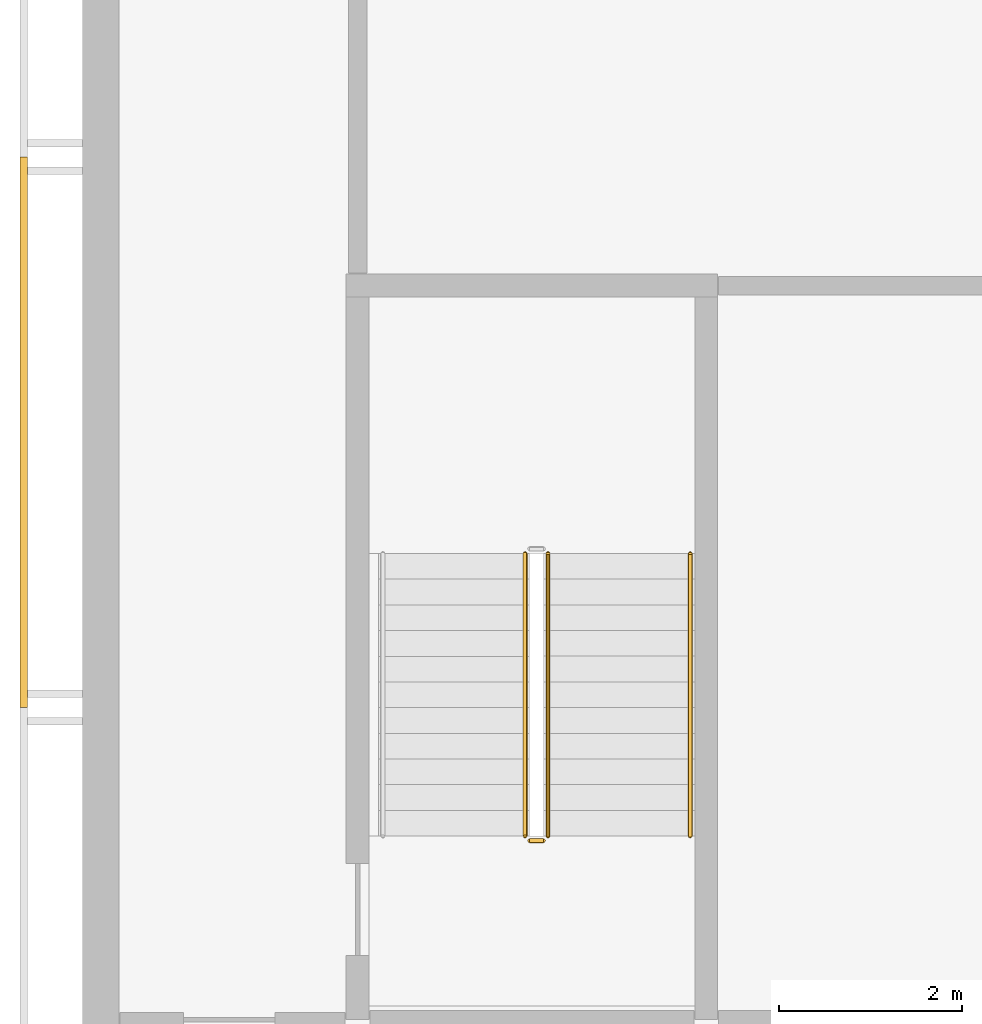
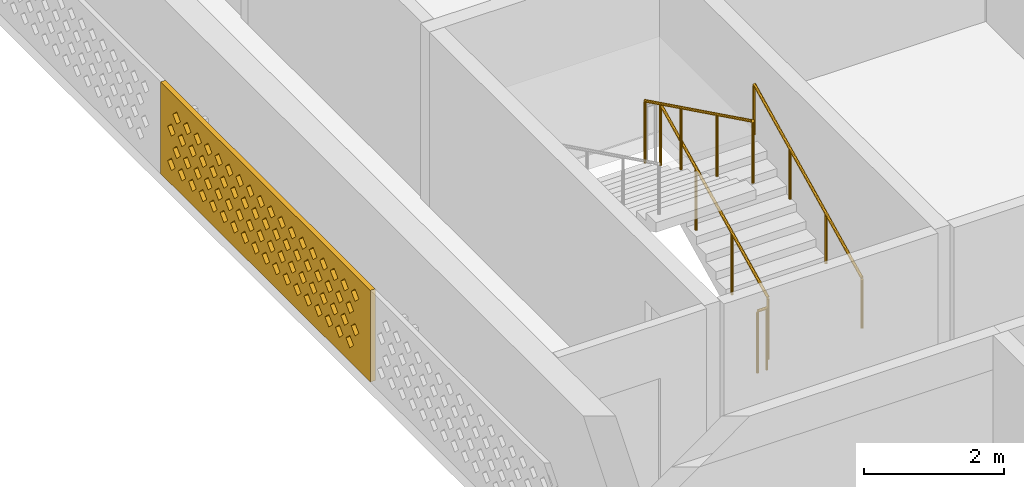
# One storey, part 8 of 18: 4 railings, 1 covering.
"""IFC4 building model written with IfcOpenShell, lengths in metres."""

from ifc_helpers import new_model, si_unit, direction, frame, origin, origin_2d, place, context, subcontext, project, spatial, polyline, circle, outline, extrude, source, transform, mapped, material, material_profile, profile_set, type_object, element, save


model = new_model("IFC4")

# Units and contexts
model_context = context("Model", 3, precision=1e-05, world=origin(), true_north=direction((0.0, 1.0)))
body_context = subcontext(model_context, "Body", "Model", "MODEL_VIEW")
ifc_project = project(units=[si_unit("LENGTHUNIT", "METRE"), si_unit("AREAUNIT", "SQUARE_METRE"), si_unit("VOLUMEUNIT", "CUBIC_METRE"), si_unit("PLANEANGLEUNIT", "RADIAN"), si_unit("MASSUNIT", "GRAM", prefix="KILO")], contexts=[model_context])

# Site, building, storey
site_placement = place(None, origin())
site = spatial("IfcSite", under=ifc_project, at=site_placement, CompositionType="ELEMENT")
building_placement = place(site_placement, origin())
building = spatial("IfcBuilding", under=site, at=building_placement, Name="Poui Terraces", CompositionType="ELEMENT")
storey_placement = place(building_placement, frame((0.0, 0.0, 275.699951171875)))
storey = spatial("IfcBuildingStorey", under=building, at=storey_placement, Name="L76 CROWN", CompositionType="ELEMENT", Elevation=275.699951171875)

# Railings
ifc_material_1 = material(Name="Galvanised steel balustrade", Category="steel")
railing_type_1 = type_object("IfcRailingType", Name="STAIR GUARD 1100", PredefinedType="GUARDRAIL", material=ifc_material_1)
railing_1_placement = place(storey_placement, frame((22.875, 16.60009765625, 0.137451171875)))
element("IfcRailing", 1, at=railing_1_placement, inside=storey, type_object=railing_type_1, Name="L76 CROWN ST-W stair guard 1", PredefinedType="GUARDRAIL", context=body_context, shape_type="SweptSolid", body=[
    extrude(circle(Radius=0.02392578125, at=origin_2d()), frame((0.0, 0.0, 1.076171875), z_axis=(0.0, 0.897578036475, 0.440855609512), x_axis=(-1.0, 0.0, 0.0)), (0.0, 0.0, 1.0), 3.43115234375),
    extrude(circle(Radius=0.02099609375, at=origin_2d()), origin(), (0.0, 0.0, 1.0), 1.052001953125),
    extrude(circle(Radius=0.02099609375, at=origin_2d()), frame((0.0, 1.026611328125, 0.504150390625)), (0.0, 0.0, 1.0), 1.052001953125),
    extrude(circle(Radius=0.02099609375, at=origin_2d()), frame((0.0, 2.05322265625, 1.008544921875)), (0.0, 0.0, 1.0), 1.052001953125),
    extrude(circle(Radius=0.02099609375, at=origin_2d()), frame((0.0, 3.079833984375, 1.5126953125)), (0.0, 0.0, 1.0), 1.052001953125),
])
railing_2_placement = place(storey_placement, frame((22.625, 19.679931640625, 1.78759765625)))
element("IfcRailing", 2, at=railing_2_placement, inside=storey, type_object=railing_type_1, Name="L76 CROWN ST-W stair guard 3", PredefinedType="GUARDRAIL", context=body_context, shape_type="SweptSolid", body=[
    extrude(circle(Radius=0.02392578125, at=origin_2d()), frame((0.0, 0.0, 1.076171875), z_axis=(0.0, -0.897606190399, 0.440798283751), x_axis=(1.0, 0.0, 0.0)), (0.0, 0.0, 1.0), 3.43115234375),
    extrude(circle(Radius=0.02099609375, at=origin_2d()), origin(), (0.0, 0.0, 1.0), 1.052001953125),
    extrude(circle(Radius=0.02099609375, at=origin_2d()), frame((0.0, -1.026611328125, 0.504150390625)), (0.0, 0.0, 1.0), 1.052001953125),
    extrude(circle(Radius=0.02099609375, at=origin_2d()), frame((0.0, -2.05322265625, 1.00830078125)), (0.0, 0.0, 1.0), 1.052001953125),
    extrude(circle(Radius=0.02099609375, at=origin_2d()), frame((0.0, -3.079833984375, 1.512451171875)), (0.0, 0.0, 1.0), 1.052001953125),
])
railing_3_placement = place(storey_placement, frame((22.824951171875, 16.550048828125, 0.0)))
element("IfcRailing", 3, at=railing_3_placement, inside=storey, type_object=railing_type_1, Name="L76 CROWN ST-W stair guard 4", PredefinedType="GUARDRAIL", context=body_context, shape_type="SweptSolid", body=[
    extrude(circle(Radius=0.02392578125, at=origin_2d()), frame((0.0, 0.0, 1.076171875), z_axis=(-1.0, 0.0, 0.0), x_axis=(0.0, -1.0, 0.0)), (0.0, 0.0, 1.0), 0.14990234375),
    extrude(circle(Radius=0.02099609375, at=origin_2d()), origin(), (0.0, 0.0, 1.0), 1.052001953125),
    extrude(circle(Radius=0.02099609375, at=origin_2d()), frame((-0.14990234375, 0.0, 0.0)), (0.0, 0.0, 1.0), 1.052001953125),
])
ifc_material_2 = material(Name="Stainless steel handrail", Category="steel")
railing_type_2 = type_object("IfcRailingType", Name="STAIR HANDRAIL 900", PredefinedType="HANDRAIL", material=ifc_material_2)
railing_4_placement = place(storey_placement, frame((24.425048828125, 16.60009765625, 0.137451171875)))
element("IfcRailing", 4, at=railing_4_placement, inside=storey, type_object=railing_type_2, Name="L76 CROWN ST-W stair handrail 1", PredefinedType="HANDRAIL", context=body_context, shape_type="SweptSolid", body=[
    extrude(circle(Radius=0.02392578125, at=origin_2d()), frame((0.0, 0.0, 0.8759765625), z_axis=(0.0, 0.897578036475, 0.440855609512), x_axis=(-1.0, 0.0, 0.0)), (0.0, 0.0, 1.0), 3.43115234375),
    extrude(circle(Radius=0.02099609375, at=origin_2d()), origin(), (0.0, 0.0, 1.0), 0.851806640625),
    extrude(circle(Radius=0.02099609375, at=origin_2d()), frame((0.0, 1.026611328125, 0.504150390625)), (0.0, 0.0, 1.0), 0.851806640625),
    extrude(circle(Radius=0.02099609375, at=origin_2d()), frame((0.0, 2.05322265625, 1.008544921875)), (0.0, 0.0, 1.0), 0.851806640625),
    extrude(circle(Radius=0.02099609375, at=origin_2d()), frame((0.0, 3.079833984375, 1.5126953125)), (0.0, 0.0, 1.0), 0.851806640625),
])

# Covering
ifc_material_3 = material(Name="Terracotta screen", Category="masonry")
ifc_material_profile = material_profile(ifc_material_3, outline(polyline([(-3.0, -0.800048828125), (3.0, -0.800048828125), (3.0, 0.800048828125), (-3.0, 0.800048828125), (-3.0, -0.800048828125)]), holes=[polyline([(-2.800048828125, -0.449951171875), (-2.68994140625, -0.56005859375), (-2.580078125, -0.449951171875), (-2.68994140625, -0.340087890625), (-2.800048828125, -0.449951171875)]), polyline([(-2.5, -0.449951171875), (-2.389892578125, -0.56005859375), (-2.280029296875, -0.449951171875), (-2.389892578125, -0.340087890625), (-2.5, -0.449951171875)]), polyline([(-2.199951171875, -0.449951171875), (-2.090087890625, -0.56005859375), (-1.97998046875, -0.449951171875), (-2.090087890625, -0.340087890625), (-2.199951171875, -0.449951171875)]), polyline([(-1.89990234375, -0.449951171875), (-1.7900390625, -0.56005859375), (-1.679931640625, -0.449951171875), (-1.7900390625, -0.340087890625), (-1.89990234375, -0.449951171875)]), polyline([(-1.60009765625, -0.449951171875), (-1.489990234375, -0.56005859375), (-1.3798828125, -0.449951171875), (-1.489990234375, -0.340087890625), (-1.60009765625, -0.449951171875)]), polyline([(-1.300048828125, -0.449951171875), (-1.18994140625, -0.56005859375), (-1.080078125, -0.449951171875), (-1.18994140625, -0.340087890625), (-1.300048828125, -0.449951171875)]), polyline([(-1.0, -0.449951171875), (-0.889892578125, -0.56005859375), (-0.780029296875, -0.449951171875), (-0.889892578125, -0.340087890625), (-1.0, -0.449951171875)]), polyline([(-0.699951171875, -0.449951171875), (-0.590087890625, -0.56005859375), (-0.47998046875, -0.449951171875), (-0.590087890625, -0.340087890625), (-0.699951171875, -0.449951171875)]), polyline([(-0.39990234375, -0.449951171875), (-0.2900390625, -0.56005859375), (-0.179931640625, -0.449951171875), (-0.2900390625, -0.340087890625), (-0.39990234375, -0.449951171875)]), polyline([(-0.10009765625, -0.449951171875), (0.010009765625, -0.56005859375), (0.1201171875, -0.449951171875), (0.010009765625, -0.340087890625), (-0.10009765625, -0.449951171875)]), polyline([(0.199951171875, -0.449951171875), (0.31005859375, -0.56005859375), (0.419921875, -0.449951171875), (0.31005859375, -0.340087890625), (0.199951171875, -0.449951171875)]), polyline([(0.5, -0.449951171875), (0.610107421875, -0.56005859375), (0.719970703125, -0.449951171875), (0.610107421875, -0.340087890625), (0.5, -0.449951171875)]), polyline([(0.800048828125, -0.449951171875), (0.909912109375, -0.56005859375), (1.02001953125, -0.449951171875), (0.909912109375, -0.340087890625), (0.800048828125, -0.449951171875)]), polyline([(1.10009765625, -0.449951171875), (1.2099609375, -0.56005859375), (1.320068359375, -0.449951171875), (1.2099609375, -0.340087890625), (1.10009765625, -0.449951171875)]), polyline([(1.39990234375, -0.449951171875), (1.510009765625, -0.56005859375), (1.6201171875, -0.449951171875), (1.510009765625, -0.340087890625), (1.39990234375, -0.449951171875)]), polyline([(1.699951171875, -0.449951171875), (1.81005859375, -0.56005859375), (1.919921875, -0.449951171875), (1.81005859375, -0.340087890625), (1.699951171875, -0.449951171875)]), polyline([(2.0, -0.449951171875), (2.110107421875, -0.56005859375), (2.219970703125, -0.449951171875), (2.110107421875, -0.340087890625), (2.0, -0.449951171875)]), polyline([(2.300048828125, -0.449951171875), (2.409912109375, -0.56005859375), (2.52001953125, -0.449951171875), (2.409912109375, -0.340087890625), (2.300048828125, -0.449951171875)]), polyline([(-2.64990234375, -0.14990234375), (-2.5400390625, -0.260009765625), (-2.429931640625, -0.14990234375), (-2.5400390625, -0.0400390625), (-2.64990234375, -0.14990234375)]), polyline([(-2.35009765625, -0.14990234375), (-2.239990234375, -0.260009765625), (-2.1298828125, -0.14990234375), (-2.239990234375, -0.0400390625), (-2.35009765625, -0.14990234375)]), polyline([(-2.050048828125, -0.14990234375), (-1.93994140625, -0.260009765625), (-1.830078125, -0.14990234375), (-1.93994140625, -0.0400390625), (-2.050048828125, -0.14990234375)]), polyline([(-1.75, -0.14990234375), (-1.639892578125, -0.260009765625), (-1.530029296875, -0.14990234375), (-1.639892578125, -0.0400390625), (-1.75, -0.14990234375)]), polyline([(-1.449951171875, -0.14990234375), (-1.340087890625, -0.260009765625), (-1.22998046875, -0.14990234375), (-1.340087890625, -0.0400390625), (-1.449951171875, -0.14990234375)]), polyline([(-1.14990234375, -0.14990234375), (-1.0400390625, -0.260009765625), (-0.929931640625, -0.14990234375), (-1.0400390625, -0.0400390625), (-1.14990234375, -0.14990234375)]), polyline([(-0.85009765625, -0.14990234375), (-0.739990234375, -0.260009765625), (-0.6298828125, -0.14990234375), (-0.739990234375, -0.0400390625), (-0.85009765625, -0.14990234375)]), polyline([(-0.550048828125, -0.14990234375), (-0.43994140625, -0.260009765625), (-0.330078125, -0.14990234375), (-0.43994140625, -0.0400390625), (-0.550048828125, -0.14990234375)]), polyline([(-0.25, -0.14990234375), (-0.139892578125, -0.260009765625), (-0.030029296875, -0.14990234375), (-0.139892578125, -0.0400390625), (-0.25, -0.14990234375)]), polyline([(0.050048828125, -0.14990234375), (0.159912109375, -0.260009765625), (0.27001953125, -0.14990234375), (0.159912109375, -0.0400390625), (0.050048828125, -0.14990234375)]), polyline([(0.35009765625, -0.14990234375), (0.4599609375, -0.260009765625), (0.570068359375, -0.14990234375), (0.4599609375, -0.0400390625), (0.35009765625, -0.14990234375)]), polyline([(0.64990234375, -0.14990234375), (0.760009765625, -0.260009765625), (0.8701171875, -0.14990234375), (0.760009765625, -0.0400390625), (0.64990234375, -0.14990234375)]), polyline([(0.949951171875, -0.14990234375), (1.06005859375, -0.260009765625), (1.169921875, -0.14990234375), (1.06005859375, -0.0400390625), (0.949951171875, -0.14990234375)]), polyline([(1.25, -0.14990234375), (1.360107421875, -0.260009765625), (1.469970703125, -0.14990234375), (1.360107421875, -0.0400390625), (1.25, -0.14990234375)]), polyline([(1.550048828125, -0.14990234375), (1.659912109375, -0.260009765625), (1.77001953125, -0.14990234375), (1.659912109375, -0.0400390625), (1.550048828125, -0.14990234375)]), polyline([(1.85009765625, -0.14990234375), (1.9599609375, -0.260009765625), (2.070068359375, -0.14990234375), (1.9599609375, -0.0400390625), (1.85009765625, -0.14990234375)]), polyline([(2.14990234375, -0.14990234375), (2.260009765625, -0.260009765625), (2.3701171875, -0.14990234375), (2.260009765625, -0.0400390625), (2.14990234375, -0.14990234375)]), polyline([(2.449951171875, -0.14990234375), (2.56005859375, -0.260009765625), (2.669921875, -0.14990234375), (2.56005859375, -0.0400390625), (2.449951171875, -0.14990234375)]), polyline([(-2.800048828125, 0.14990234375), (-2.68994140625, 0.0400390625), (-2.580078125, 0.14990234375), (-2.68994140625, 0.260009765625), (-2.800048828125, 0.14990234375)]), polyline([(-2.5, 0.14990234375), (-2.389892578125, 0.0400390625), (-2.280029296875, 0.14990234375), (-2.389892578125, 0.260009765625), (-2.5, 0.14990234375)]), polyline([(-2.199951171875, 0.14990234375), (-2.090087890625, 0.0400390625), (-1.97998046875, 0.14990234375), (-2.090087890625, 0.260009765625), (-2.199951171875, 0.14990234375)]), polyline([(-1.89990234375, 0.14990234375), (-1.7900390625, 0.0400390625), (-1.679931640625, 0.14990234375), (-1.7900390625, 0.260009765625), (-1.89990234375, 0.14990234375)]), polyline([(-1.60009765625, 0.14990234375), (-1.489990234375, 0.0400390625), (-1.3798828125, 0.14990234375), (-1.489990234375, 0.260009765625), (-1.60009765625, 0.14990234375)]), polyline([(-1.300048828125, 0.14990234375), (-1.18994140625, 0.0400390625), (-1.080078125, 0.14990234375), (-1.18994140625, 0.260009765625), (-1.300048828125, 0.14990234375)]), polyline([(-1.0, 0.14990234375), (-0.889892578125, 0.0400390625), (-0.780029296875, 0.14990234375), (-0.889892578125, 0.260009765625), (-1.0, 0.14990234375)]), polyline([(-0.699951171875, 0.14990234375), (-0.590087890625, 0.0400390625), (-0.47998046875, 0.14990234375), (-0.590087890625, 0.260009765625), (-0.699951171875, 0.14990234375)]), polyline([(-0.39990234375, 0.14990234375), (-0.2900390625, 0.0400390625), (-0.179931640625, 0.14990234375), (-0.2900390625, 0.260009765625), (-0.39990234375, 0.14990234375)]), polyline([(-0.10009765625, 0.14990234375), (0.010009765625, 0.0400390625), (0.1201171875, 0.14990234375), (0.010009765625, 0.260009765625), (-0.10009765625, 0.14990234375)]), polyline([(0.199951171875, 0.14990234375), (0.31005859375, 0.0400390625), (0.419921875, 0.14990234375), (0.31005859375, 0.260009765625), (0.199951171875, 0.14990234375)]), polyline([(0.5, 0.14990234375), (0.610107421875, 0.0400390625), (0.719970703125, 0.14990234375), (0.610107421875, 0.260009765625), (0.5, 0.14990234375)]), polyline([(0.800048828125, 0.14990234375), (0.909912109375, 0.0400390625), (1.02001953125, 0.14990234375), (0.909912109375, 0.260009765625), (0.800048828125, 0.14990234375)]), polyline([(1.10009765625, 0.14990234375), (1.2099609375, 0.0400390625), (1.320068359375, 0.14990234375), (1.2099609375, 0.260009765625), (1.10009765625, 0.14990234375)]), polyline([(1.39990234375, 0.14990234375), (1.510009765625, 0.0400390625), (1.6201171875, 0.14990234375), (1.510009765625, 0.260009765625), (1.39990234375, 0.14990234375)]), polyline([(1.699951171875, 0.14990234375), (1.81005859375, 0.0400390625), (1.919921875, 0.14990234375), (1.81005859375, 0.260009765625), (1.699951171875, 0.14990234375)]), polyline([(2.0, 0.14990234375), (2.110107421875, 0.0400390625), (2.219970703125, 0.14990234375), (2.110107421875, 0.260009765625), (2.0, 0.14990234375)]), polyline([(2.300048828125, 0.14990234375), (2.409912109375, 0.0400390625), (2.52001953125, 0.14990234375), (2.409912109375, 0.260009765625), (2.300048828125, 0.14990234375)]), polyline([(-2.64990234375, 0.449951171875), (-2.5400390625, 0.340087890625), (-2.429931640625, 0.449951171875), (-2.5400390625, 0.56005859375), (-2.64990234375, 0.449951171875)]), polyline([(-2.35009765625, 0.449951171875), (-2.239990234375, 0.340087890625), (-2.1298828125, 0.449951171875), (-2.239990234375, 0.56005859375), (-2.35009765625, 0.449951171875)]), polyline([(-2.050048828125, 0.449951171875), (-1.93994140625, 0.340087890625), (-1.830078125, 0.449951171875), (-1.93994140625, 0.56005859375), (-2.050048828125, 0.449951171875)]), polyline([(-1.75, 0.449951171875), (-1.639892578125, 0.340087890625), (-1.530029296875, 0.449951171875), (-1.639892578125, 0.56005859375), (-1.75, 0.449951171875)]), polyline([(-1.449951171875, 0.449951171875), (-1.340087890625, 0.340087890625), (-1.22998046875, 0.449951171875), (-1.340087890625, 0.56005859375), (-1.449951171875, 0.449951171875)]), polyline([(-1.14990234375, 0.449951171875), (-1.0400390625, 0.340087890625), (-0.929931640625, 0.449951171875), (-1.0400390625, 0.56005859375), (-1.14990234375, 0.449951171875)]), polyline([(-0.85009765625, 0.449951171875), (-0.739990234375, 0.340087890625), (-0.6298828125, 0.449951171875), (-0.739990234375, 0.56005859375), (-0.85009765625, 0.449951171875)]), polyline([(-0.550048828125, 0.449951171875), (-0.43994140625, 0.340087890625), (-0.330078125, 0.449951171875), (-0.43994140625, 0.56005859375), (-0.550048828125, 0.449951171875)]), polyline([(-0.25, 0.449951171875), (-0.139892578125, 0.340087890625), (-0.030029296875, 0.449951171875), (-0.139892578125, 0.56005859375), (-0.25, 0.449951171875)]), polyline([(0.050048828125, 0.449951171875), (0.159912109375, 0.340087890625), (0.27001953125, 0.449951171875), (0.159912109375, 0.56005859375), (0.050048828125, 0.449951171875)]), polyline([(0.35009765625, 0.449951171875), (0.4599609375, 0.340087890625), (0.570068359375, 0.449951171875), (0.4599609375, 0.56005859375), (0.35009765625, 0.449951171875)]), polyline([(0.64990234375, 0.449951171875), (0.760009765625, 0.340087890625), (0.8701171875, 0.449951171875), (0.760009765625, 0.56005859375), (0.64990234375, 0.449951171875)]), polyline([(0.949951171875, 0.449951171875), (1.06005859375, 0.340087890625), (1.169921875, 0.449951171875), (1.06005859375, 0.56005859375), (0.949951171875, 0.449951171875)]), polyline([(1.25, 0.449951171875), (1.360107421875, 0.340087890625), (1.469970703125, 0.449951171875), (1.360107421875, 0.56005859375), (1.25, 0.449951171875)]), polyline([(1.550048828125, 0.449951171875), (1.659912109375, 0.340087890625), (1.77001953125, 0.449951171875), (1.659912109375, 0.56005859375), (1.550048828125, 0.449951171875)]), polyline([(1.85009765625, 0.449951171875), (1.9599609375, 0.340087890625), (2.070068359375, 0.449951171875), (1.9599609375, 0.56005859375), (1.85009765625, 0.449951171875)]), polyline([(2.14990234375, 0.449951171875), (2.260009765625, 0.340087890625), (2.3701171875, 0.449951171875), (2.260009765625, 0.56005859375), (2.14990234375, 0.449951171875)]), polyline([(2.449951171875, 0.449951171875), (2.56005859375, 0.340087890625), (2.669921875, 0.449951171875), (2.56005859375, 0.56005859375), (2.449951171875, 0.449951171875)])]), Name="TERRACOTTA SOLAR SCREEN 6000X1600")
ifc_profile_set = profile_set([ifc_material_profile], Name="Terracotta screen")
covering_type = type_object("IfcCoveringType", Name="TERRACOTTA SOLAR SCREEN 6000X1600", PredefinedType="CLADDING", material=ifc_profile_set)
shared_shape = source(origin(), body_context, "Body", "SweptSolid", [
    extrude(outline(polyline([(-3.0, -0.800048828125), (3.0, -0.800048828125), (3.0, 0.800048828125), (-3.0, 0.800048828125), (-3.0, -0.800048828125)]), holes=[polyline([(-2.800048828125, -0.449951171875), (-2.68994140625, -0.56005859375), (-2.580078125, -0.449951171875), (-2.68994140625, -0.340087890625), (-2.800048828125, -0.449951171875)]), polyline([(-2.5, -0.449951171875), (-2.389892578125, -0.56005859375), (-2.280029296875, -0.449951171875), (-2.389892578125, -0.340087890625), (-2.5, -0.449951171875)]), polyline([(-2.199951171875, -0.449951171875), (-2.090087890625, -0.56005859375), (-1.97998046875, -0.449951171875), (-2.090087890625, -0.340087890625), (-2.199951171875, -0.449951171875)]), polyline([(-1.89990234375, -0.449951171875), (-1.7900390625, -0.56005859375), (-1.679931640625, -0.449951171875), (-1.7900390625, -0.340087890625), (-1.89990234375, -0.449951171875)]), polyline([(-1.60009765625, -0.449951171875), (-1.489990234375, -0.56005859375), (-1.3798828125, -0.449951171875), (-1.489990234375, -0.340087890625), (-1.60009765625, -0.449951171875)]), polyline([(-1.300048828125, -0.449951171875), (-1.18994140625, -0.56005859375), (-1.080078125, -0.449951171875), (-1.18994140625, -0.340087890625), (-1.300048828125, -0.449951171875)]), polyline([(-1.0, -0.449951171875), (-0.889892578125, -0.56005859375), (-0.780029296875, -0.449951171875), (-0.889892578125, -0.340087890625), (-1.0, -0.449951171875)]), polyline([(-0.699951171875, -0.449951171875), (-0.590087890625, -0.56005859375), (-0.47998046875, -0.449951171875), (-0.590087890625, -0.340087890625), (-0.699951171875, -0.449951171875)]), polyline([(-0.39990234375, -0.449951171875), (-0.2900390625, -0.56005859375), (-0.179931640625, -0.449951171875), (-0.2900390625, -0.340087890625), (-0.39990234375, -0.449951171875)]), polyline([(-0.10009765625, -0.449951171875), (0.010009765625, -0.56005859375), (0.1201171875, -0.449951171875), (0.010009765625, -0.340087890625), (-0.10009765625, -0.449951171875)]), polyline([(0.199951171875, -0.449951171875), (0.31005859375, -0.56005859375), (0.419921875, -0.449951171875), (0.31005859375, -0.340087890625), (0.199951171875, -0.449951171875)]), polyline([(0.5, -0.449951171875), (0.610107421875, -0.56005859375), (0.719970703125, -0.449951171875), (0.610107421875, -0.340087890625), (0.5, -0.449951171875)]), polyline([(0.800048828125, -0.449951171875), (0.909912109375, -0.56005859375), (1.02001953125, -0.449951171875), (0.909912109375, -0.340087890625), (0.800048828125, -0.449951171875)]), polyline([(1.10009765625, -0.449951171875), (1.2099609375, -0.56005859375), (1.320068359375, -0.449951171875), (1.2099609375, -0.340087890625), (1.10009765625, -0.449951171875)]), polyline([(1.39990234375, -0.449951171875), (1.510009765625, -0.56005859375), (1.6201171875, -0.449951171875), (1.510009765625, -0.340087890625), (1.39990234375, -0.449951171875)]), polyline([(1.699951171875, -0.449951171875), (1.81005859375, -0.56005859375), (1.919921875, -0.449951171875), (1.81005859375, -0.340087890625), (1.699951171875, -0.449951171875)]), polyline([(2.0, -0.449951171875), (2.110107421875, -0.56005859375), (2.219970703125, -0.449951171875), (2.110107421875, -0.340087890625), (2.0, -0.449951171875)]), polyline([(2.300048828125, -0.449951171875), (2.409912109375, -0.56005859375), (2.52001953125, -0.449951171875), (2.409912109375, -0.340087890625), (2.300048828125, -0.449951171875)]), polyline([(-2.64990234375, -0.14990234375), (-2.5400390625, -0.260009765625), (-2.429931640625, -0.14990234375), (-2.5400390625, -0.0400390625), (-2.64990234375, -0.14990234375)]), polyline([(-2.35009765625, -0.14990234375), (-2.239990234375, -0.260009765625), (-2.1298828125, -0.14990234375), (-2.239990234375, -0.0400390625), (-2.35009765625, -0.14990234375)]), polyline([(-2.050048828125, -0.14990234375), (-1.93994140625, -0.260009765625), (-1.830078125, -0.14990234375), (-1.93994140625, -0.0400390625), (-2.050048828125, -0.14990234375)]), polyline([(-1.75, -0.14990234375), (-1.639892578125, -0.260009765625), (-1.530029296875, -0.14990234375), (-1.639892578125, -0.0400390625), (-1.75, -0.14990234375)]), polyline([(-1.449951171875, -0.14990234375), (-1.340087890625, -0.260009765625), (-1.22998046875, -0.14990234375), (-1.340087890625, -0.0400390625), (-1.449951171875, -0.14990234375)]), polyline([(-1.14990234375, -0.14990234375), (-1.0400390625, -0.260009765625), (-0.929931640625, -0.14990234375), (-1.0400390625, -0.0400390625), (-1.14990234375, -0.14990234375)]), polyline([(-0.85009765625, -0.14990234375), (-0.739990234375, -0.260009765625), (-0.6298828125, -0.14990234375), (-0.739990234375, -0.0400390625), (-0.85009765625, -0.14990234375)]), polyline([(-0.550048828125, -0.14990234375), (-0.43994140625, -0.260009765625), (-0.330078125, -0.14990234375), (-0.43994140625, -0.0400390625), (-0.550048828125, -0.14990234375)]), polyline([(-0.25, -0.14990234375), (-0.139892578125, -0.260009765625), (-0.030029296875, -0.14990234375), (-0.139892578125, -0.0400390625), (-0.25, -0.14990234375)]), polyline([(0.050048828125, -0.14990234375), (0.159912109375, -0.260009765625), (0.27001953125, -0.14990234375), (0.159912109375, -0.0400390625), (0.050048828125, -0.14990234375)]), polyline([(0.35009765625, -0.14990234375), (0.4599609375, -0.260009765625), (0.570068359375, -0.14990234375), (0.4599609375, -0.0400390625), (0.35009765625, -0.14990234375)]), polyline([(0.64990234375, -0.14990234375), (0.760009765625, -0.260009765625), (0.8701171875, -0.14990234375), (0.760009765625, -0.0400390625), (0.64990234375, -0.14990234375)]), polyline([(0.949951171875, -0.14990234375), (1.06005859375, -0.260009765625), (1.169921875, -0.14990234375), (1.06005859375, -0.0400390625), (0.949951171875, -0.14990234375)]), polyline([(1.25, -0.14990234375), (1.360107421875, -0.260009765625), (1.469970703125, -0.14990234375), (1.360107421875, -0.0400390625), (1.25, -0.14990234375)]), polyline([(1.550048828125, -0.14990234375), (1.659912109375, -0.260009765625), (1.77001953125, -0.14990234375), (1.659912109375, -0.0400390625), (1.550048828125, -0.14990234375)]), polyline([(1.85009765625, -0.14990234375), (1.9599609375, -0.260009765625), (2.070068359375, -0.14990234375), (1.9599609375, -0.0400390625), (1.85009765625, -0.14990234375)]), polyline([(2.14990234375, -0.14990234375), (2.260009765625, -0.260009765625), (2.3701171875, -0.14990234375), (2.260009765625, -0.0400390625), (2.14990234375, -0.14990234375)]), polyline([(2.449951171875, -0.14990234375), (2.56005859375, -0.260009765625), (2.669921875, -0.14990234375), (2.56005859375, -0.0400390625), (2.449951171875, -0.14990234375)]), polyline([(-2.800048828125, 0.14990234375), (-2.68994140625, 0.0400390625), (-2.580078125, 0.14990234375), (-2.68994140625, 0.260009765625), (-2.800048828125, 0.14990234375)]), polyline([(-2.5, 0.14990234375), (-2.389892578125, 0.0400390625), (-2.280029296875, 0.14990234375), (-2.389892578125, 0.260009765625), (-2.5, 0.14990234375)]), polyline([(-2.199951171875, 0.14990234375), (-2.090087890625, 0.0400390625), (-1.97998046875, 0.14990234375), (-2.090087890625, 0.260009765625), (-2.199951171875, 0.14990234375)]), polyline([(-1.89990234375, 0.14990234375), (-1.7900390625, 0.0400390625), (-1.679931640625, 0.14990234375), (-1.7900390625, 0.260009765625), (-1.89990234375, 0.14990234375)]), polyline([(-1.60009765625, 0.14990234375), (-1.489990234375, 0.0400390625), (-1.3798828125, 0.14990234375), (-1.489990234375, 0.260009765625), (-1.60009765625, 0.14990234375)]), polyline([(-1.300048828125, 0.14990234375), (-1.18994140625, 0.0400390625), (-1.080078125, 0.14990234375), (-1.18994140625, 0.260009765625), (-1.300048828125, 0.14990234375)]), polyline([(-1.0, 0.14990234375), (-0.889892578125, 0.0400390625), (-0.780029296875, 0.14990234375), (-0.889892578125, 0.260009765625), (-1.0, 0.14990234375)]), polyline([(-0.699951171875, 0.14990234375), (-0.590087890625, 0.0400390625), (-0.47998046875, 0.14990234375), (-0.590087890625, 0.260009765625), (-0.699951171875, 0.14990234375)]), polyline([(-0.39990234375, 0.14990234375), (-0.2900390625, 0.0400390625), (-0.179931640625, 0.14990234375), (-0.2900390625, 0.260009765625), (-0.39990234375, 0.14990234375)]), polyline([(-0.10009765625, 0.14990234375), (0.010009765625, 0.0400390625), (0.1201171875, 0.14990234375), (0.010009765625, 0.260009765625), (-0.10009765625, 0.14990234375)]), polyline([(0.199951171875, 0.14990234375), (0.31005859375, 0.0400390625), (0.419921875, 0.14990234375), (0.31005859375, 0.260009765625), (0.199951171875, 0.14990234375)]), polyline([(0.5, 0.14990234375), (0.610107421875, 0.0400390625), (0.719970703125, 0.14990234375), (0.610107421875, 0.260009765625), (0.5, 0.14990234375)]), polyline([(0.800048828125, 0.14990234375), (0.909912109375, 0.0400390625), (1.02001953125, 0.14990234375), (0.909912109375, 0.260009765625), (0.800048828125, 0.14990234375)]), polyline([(1.10009765625, 0.14990234375), (1.2099609375, 0.0400390625), (1.320068359375, 0.14990234375), (1.2099609375, 0.260009765625), (1.10009765625, 0.14990234375)]), polyline([(1.39990234375, 0.14990234375), (1.510009765625, 0.0400390625), (1.6201171875, 0.14990234375), (1.510009765625, 0.260009765625), (1.39990234375, 0.14990234375)]), polyline([(1.699951171875, 0.14990234375), (1.81005859375, 0.0400390625), (1.919921875, 0.14990234375), (1.81005859375, 0.260009765625), (1.699951171875, 0.14990234375)]), polyline([(2.0, 0.14990234375), (2.110107421875, 0.0400390625), (2.219970703125, 0.14990234375), (2.110107421875, 0.260009765625), (2.0, 0.14990234375)]), polyline([(2.300048828125, 0.14990234375), (2.409912109375, 0.0400390625), (2.52001953125, 0.14990234375), (2.409912109375, 0.260009765625), (2.300048828125, 0.14990234375)]), polyline([(-2.64990234375, 0.449951171875), (-2.5400390625, 0.340087890625), (-2.429931640625, 0.449951171875), (-2.5400390625, 0.56005859375), (-2.64990234375, 0.449951171875)]), polyline([(-2.35009765625, 0.449951171875), (-2.239990234375, 0.340087890625), (-2.1298828125, 0.449951171875), (-2.239990234375, 0.56005859375), (-2.35009765625, 0.449951171875)]), polyline([(-2.050048828125, 0.449951171875), (-1.93994140625, 0.340087890625), (-1.830078125, 0.449951171875), (-1.93994140625, 0.56005859375), (-2.050048828125, 0.449951171875)]), polyline([(-1.75, 0.449951171875), (-1.639892578125, 0.340087890625), (-1.530029296875, 0.449951171875), (-1.639892578125, 0.56005859375), (-1.75, 0.449951171875)]), polyline([(-1.449951171875, 0.449951171875), (-1.340087890625, 0.340087890625), (-1.22998046875, 0.449951171875), (-1.340087890625, 0.56005859375), (-1.449951171875, 0.449951171875)]), polyline([(-1.14990234375, 0.449951171875), (-1.0400390625, 0.340087890625), (-0.929931640625, 0.449951171875), (-1.0400390625, 0.56005859375), (-1.14990234375, 0.449951171875)]), polyline([(-0.85009765625, 0.449951171875), (-0.739990234375, 0.340087890625), (-0.6298828125, 0.449951171875), (-0.739990234375, 0.56005859375), (-0.85009765625, 0.449951171875)]), polyline([(-0.550048828125, 0.449951171875), (-0.43994140625, 0.340087890625), (-0.330078125, 0.449951171875), (-0.43994140625, 0.56005859375), (-0.550048828125, 0.449951171875)]), polyline([(-0.25, 0.449951171875), (-0.139892578125, 0.340087890625), (-0.030029296875, 0.449951171875), (-0.139892578125, 0.56005859375), (-0.25, 0.449951171875)]), polyline([(0.050048828125, 0.449951171875), (0.159912109375, 0.340087890625), (0.27001953125, 0.449951171875), (0.159912109375, 0.56005859375), (0.050048828125, 0.449951171875)]), polyline([(0.35009765625, 0.449951171875), (0.4599609375, 0.340087890625), (0.570068359375, 0.449951171875), (0.4599609375, 0.56005859375), (0.35009765625, 0.449951171875)]), polyline([(0.64990234375, 0.449951171875), (0.760009765625, 0.340087890625), (0.8701171875, 0.449951171875), (0.760009765625, 0.56005859375), (0.64990234375, 0.449951171875)]), polyline([(0.949951171875, 0.449951171875), (1.06005859375, 0.340087890625), (1.169921875, 0.449951171875), (1.06005859375, 0.56005859375), (0.949951171875, 0.449951171875)]), polyline([(1.25, 0.449951171875), (1.360107421875, 0.340087890625), (1.469970703125, 0.449951171875), (1.360107421875, 0.56005859375), (1.25, 0.449951171875)]), polyline([(1.550048828125, 0.449951171875), (1.659912109375, 0.340087890625), (1.77001953125, 0.449951171875), (1.659912109375, 0.56005859375), (1.550048828125, 0.449951171875)]), polyline([(1.85009765625, 0.449951171875), (1.9599609375, 0.340087890625), (2.070068359375, 0.449951171875), (1.9599609375, 0.56005859375), (1.85009765625, 0.449951171875)]), polyline([(2.14990234375, 0.449951171875), (2.260009765625, 0.340087890625), (2.3701171875, 0.449951171875), (2.260009765625, 0.56005859375), (2.14990234375, 0.449951171875)]), polyline([(2.449951171875, 0.449951171875), (2.56005859375, 0.340087890625), (2.669921875, 0.449951171875), (2.56005859375, 0.56005859375), (2.449951171875, 0.449951171875)])]), origin(), (0.0, 0.0, 1.0), 0.079833984375),
])
covering_placement = place(storey_placement, frame((17.199951171875, 21.0, 1.699951171875), z_axis=(-1.0, 0.0, 0.0), x_axis=(0.0, -1.0, 0.0)))
element("IfcCovering", 5, at=covering_placement, inside=storey, type_object=covering_type, Name="SOLAR SCREEN", PredefinedType="CLADDING", context=body_context, shape_type="MappedRepresentation", body=[
    mapped(shared_shape, transform((0.0, 0.0, 0.0))),
])

save(model, "model.ifc")
